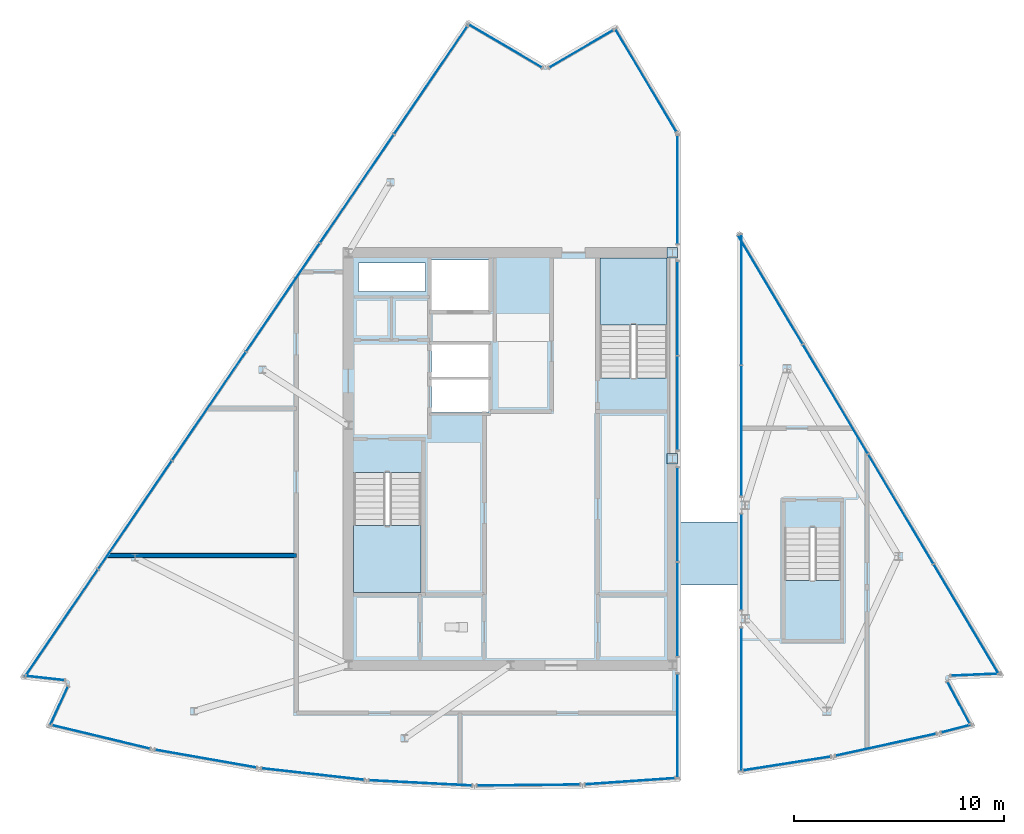
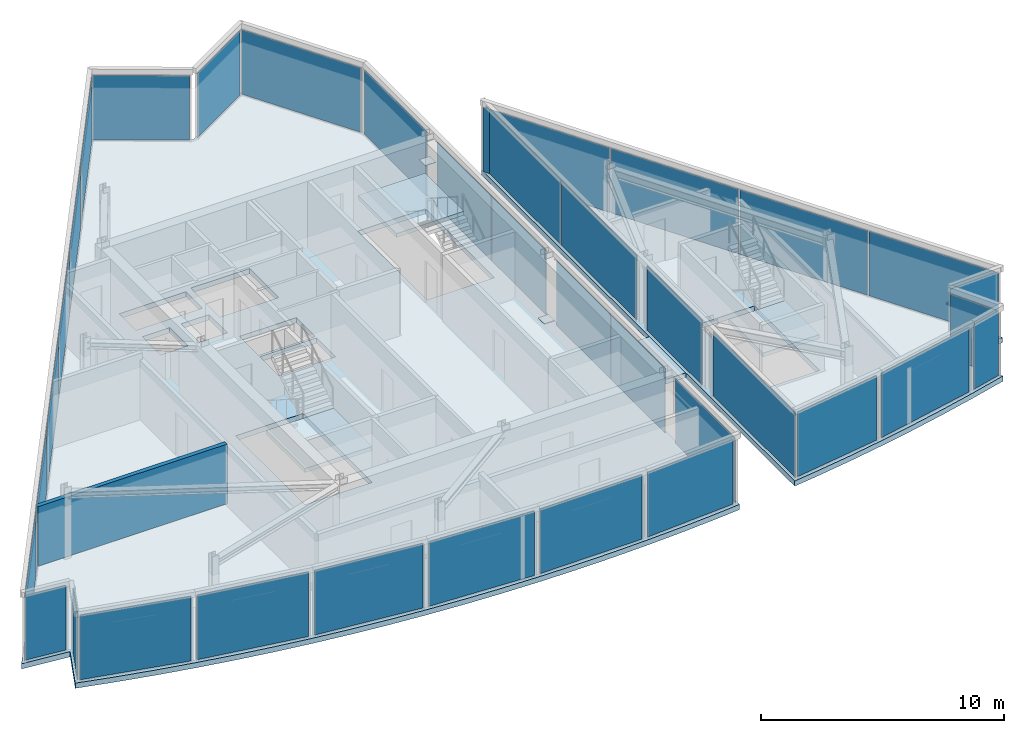
# One storey, part 8 of 15: 38 plates, 6 slabs, 1 wall, 28 elements without a shape of their own.
"""IFC4 building model written with IfcOpenShell, lengths in metres."""

from ifc_helpers import new_model, si_unit, direction, frame, frame_2d, origin, origin_2d, place, context, subcontext, project, spatial, polyline, rectangle, outline, extrude, material, layer, layer_set, type_object, element, aggregate, save


model = new_model("IFC4")

# Units and contexts
model_context = context("Model", 3, precision=1e-05, world=origin(), true_north=direction((0.0, 1.0)))
body_context = subcontext(model_context, "Body", "Model", "MODEL_VIEW")
ifc_project = project(units=[si_unit("LENGTHUNIT", "METRE"), si_unit("AREAUNIT", "SQUARE_METRE"), si_unit("VOLUMEUNIT", "CUBIC_METRE"), si_unit("PLANEANGLEUNIT", "RADIAN"), si_unit("MASSUNIT", "GRAM", prefix="KILO")], contexts=[model_context])

# Site, building, storey
site_placement = place(None, origin())
site = spatial("IfcSite", under=ifc_project, at=site_placement, CompositionType="ELEMENT")
building_placement = place(site_placement, origin())
building = spatial("IfcBuilding", under=site, at=building_placement, Name="Savorim Split Tower", CompositionType="ELEMENT")
storey_placement = place(building_placement, frame((0.0, 0.0, 301.199951171875)))
storey = spatial("IfcBuildingStorey", under=building, at=storey_placement, Name="Crown L80 Plant", CompositionType="ELEMENT", Elevation=301.199951171875)

# Curtain wall, plate
ifc_material_1 = material(Name="Dark Ceramic-Fritted Insulated Glass", Category="glass")
curtain_wall_type = type_object("IfcCurtainWallType", Name="CW-CROWN-CREST", PredefinedType="NOTDEFINED", material=ifc_material_1)
curtain_wall_1_placement = place(storey_placement, origin())
curtain_wall_1 = element("IfcCurtainWall", 1, at=curtain_wall_1_placement, inside=storey, type_object=curtain_wall_type, Name="Crown L80 Plant Curtain Wall CW-Crown-L80-Plant-W1AS1", PredefinedType="NOTDEFINED")
ifc_layer_1 = layer(ifc_material_1, 0.02587890625)
ifc_layer_set_1 = layer_set([ifc_layer_1], Name="CWP-FRITB-26")
plate_type_1 = type_object("IfcPlateType", Name="CWP-FRITB-26", PredefinedType="CURTAIN_PANEL", material=ifc_layer_set_1)
plate_1_placement = place(storey_placement, frame((7.929931640625, -12.28271484375, 0.05029296875), z_axis=(0.0, 0.0, 1.0), x_axis=(0.0, 1.0, 0.0)))
plate_1 = element("IfcPlate", 2, at=plate_1_placement, type_object=plate_type_1, Name="CW-07 panel 1.1", PredefinedType="CURTAIN_PANEL", context=body_context, shape_type="SweptSolid", body=[
    extrude(rectangle(XDim=4.913330078125, YDim=0.02587890625, at=origin_2d()), origin(), (0.0, 0.0, 1.0), 3.239990234375),
])
aggregate(curtain_wall_1, [plate_1])

# Curtain wall, plates
curtain_wall_2_placement = place(storey_placement, origin())
curtain_wall_2 = element("IfcCurtainWall", 3, at=curtain_wall_2_placement, inside=storey, type_object=curtain_wall_type, Name="Crown L80 Plant Curtain Wall CW-Crown-L80-Plant-W1AS2", PredefinedType="NOTDEFINED")
plate_2_placement = place(storey_placement, frame((7.929931640625, -6.751953125, 0.05029296875), z_axis=(0.0, 0.0, 1.0), x_axis=(0.0, 1.0, 0.0)))
plate_2 = element("IfcPlate", 4, at=plate_2_placement, type_object=plate_type_1, Name="CW-07 panel 1.1", PredefinedType="CURTAIN_PANEL", context=body_context, shape_type="SweptSolid", body=[
    extrude(rectangle(XDim=4.444091796875, YDim=0.02587890625, at=origin_2d()), origin(), (0.0, 0.0, 1.0), 3.239990234375),
])
plate_3_placement = place(storey_placement, frame((7.929931640625, -2.248046875, 0.05029296875), z_axis=(0.0, 0.0, 1.0), x_axis=(0.0, 1.0, 0.0)))
plate_3 = element("IfcPlate", 5, at=plate_3_placement, type_object=plate_type_1, Name="CW-07 panel 2.1", PredefinedType="CURTAIN_PANEL", context=body_context, shape_type="SweptSolid", body=[
    extrude(rectangle(XDim=4.444091796875, YDim=0.02587890625, at=origin_2d()), origin(), (0.0, 0.0, 1.0), 3.239990234375),
])
aggregate(curtain_wall_2, [plate_2, plate_3])

curtain_wall_3_placement = place(storey_placement, origin())
curtain_wall_3 = element("IfcCurtainWall", 6, at=curtain_wall_3_placement, inside=storey, type_object=curtain_wall_type, Name="Crown L80 Plant Curtain Wall CW-Crown-L80-Plant-W1AS3", PredefinedType="NOTDEFINED")
plate_4_placement = place(storey_placement, frame((7.929931640625, 3.048095703125, 0.05029296875), z_axis=(0.0, 0.0, 1.0), x_axis=(0.0, 1.0, 0.0)))
plate_4 = element("IfcPlate", 7, at=plate_4_placement, type_object=plate_type_1, Name="CW-07 panel 1.1", PredefinedType="CURTAIN_PANEL", context=body_context, shape_type="SweptSolid", body=[
    extrude(rectangle(XDim=4.444091796875, YDim=0.02587890625, at=origin_2d()), origin(), (0.0, 0.0, 1.0), 3.239990234375),
])
plate_5_placement = place(storey_placement, frame((7.929931640625, 7.552001953125, 0.05029296875), z_axis=(0.0, 0.0, 1.0), x_axis=(0.0, 1.0, 0.0)))
plate_5 = element("IfcPlate", 8, at=plate_5_placement, type_object=plate_type_1, Name="CW-07 panel 2.1", PredefinedType="CURTAIN_PANEL", context=body_context, shape_type="SweptSolid", body=[
    extrude(rectangle(XDim=4.444091796875, YDim=0.02587890625, at=origin_2d()), origin(), (0.0, 0.0, 1.0), 3.239990234375),
])
aggregate(curtain_wall_3, [plate_4, plate_5])

# Curtain wall, plate
curtain_wall_4_placement = place(storey_placement, origin())
curtain_wall_4 = element("IfcCurtainWall", 9, at=curtain_wall_4_placement, inside=storey, type_object=curtain_wall_type, Name="Crown L80 Plant Curtain Wall CW-Crown-L80-Plant-W1AS4", PredefinedType="NOTDEFINED")
plate_6_placement = place(storey_placement, frame((7.929931640625, 13.193603515625, 0.05029296875), z_axis=(0.0, 0.0, 1.0), x_axis=(0.0, 1.0, 0.0)))
plate_6 = element("IfcPlate", 10, at=plate_6_placement, type_object=plate_type_1, Name="CW-07 panel 1.1", PredefinedType="CURTAIN_PANEL", context=body_context, shape_type="SweptSolid", body=[
    extrude(rectangle(XDim=5.135498046875, YDim=0.02587890625, at=origin_2d()), origin(), (0.0, 0.0, 1.0), 3.239990234375),
])
aggregate(curtain_wall_4, [plate_6])

curtain_wall_5_placement = place(storey_placement, origin())
curtain_wall_5 = element("IfcCurtainWall", 11, at=curtain_wall_5_placement, inside=storey, type_object=curtain_wall_type, Name="Crown L80 Plant Curtain Wall CW-Crown-L80-Plant-W2A", PredefinedType="NOTDEFINED")
plate_7_placement = place(storey_placement, frame((6.43359375, 18.384765625, 0.05029296875), z_axis=(0.0, 0.0, 1.0), x_axis=(-0.511104505725, 0.859518577011, 0.0)))
plate_7 = element("IfcPlate", 12, at=plate_7_placement, type_object=plate_type_1, Name="CW-07 panel 1.1", PredefinedType="CURTAIN_PANEL", context=body_context, shape_type="SweptSolid", body=[
    extrude(rectangle(XDim=5.641357421875, YDim=0.02587890625, at=origin_2d()), origin(), (0.0, 0.0, 1.0), 3.239990234375),
])
aggregate(curtain_wall_5, [plate_7])

curtain_wall_6_placement = place(storey_placement, origin())
curtain_wall_6 = element("IfcCurtainWall", 13, at=curtain_wall_6_placement, inside=storey, type_object=curtain_wall_type, Name="Crown L80 Plant Curtain Wall CW-Crown-L80-Plant-W3A", PredefinedType="NOTDEFINED")
plate_8_placement = place(storey_placement, frame((3.361083984375, 19.8828125, 0.05029296875), z_axis=(0.0, 0.0, 1.0), x_axis=(-0.863987308153, -0.503513586063, 0.0)))
plate_8 = element("IfcPlate", 14, at=plate_8_placement, type_object=plate_type_1, Name="CW-07 panel 1.1", PredefinedType="CURTAIN_PANEL", context=body_context, shape_type="SweptSolid", body=[
    extrude(rectangle(XDim=3.49853515625, YDim=0.02587890625, at=origin_2d()), origin(), (0.0, 0.0, 1.0), 3.239990234375),
])
aggregate(curtain_wall_6, [plate_8])

curtain_wall_7_placement = place(storey_placement, origin())
curtain_wall_7 = element("IfcCurtainWall", 15, at=curtain_wall_7_placement, inside=storey, type_object=curtain_wall_type, Name="Crown L80 Plant Curtain Wall CW-Crown-L80-Plant-W4A", PredefinedType="NOTDEFINED")
plate_9_placement = place(storey_placement, frame((-0.23876953125, 20.01708984375, 0.05029296875), z_axis=(0.0, 0.0, 1.0), x_axis=(-0.862118709927, 0.506706354799, 0.0)))
plate_9 = element("IfcPlate", 16, at=plate_9_placement, type_object=plate_type_1, Name="CW-07 panel 1.1", PredefinedType="CURTAIN_PANEL", context=body_context, shape_type="SweptSolid", body=[
    extrude(rectangle(XDim=4.003173828125, YDim=0.02587890625, at=origin_2d()), origin(), (0.0, 0.0, 1.0), 3.239990234375),
])
aggregate(curtain_wall_7, [plate_9])

# Curtain wall, plates
curtain_wall_8_placement = place(storey_placement, origin())
curtain_wall_8 = element("IfcCurtainWall", 17, at=curtain_wall_8_placement, inside=storey, type_object=curtain_wall_type, Name="Crown L80 Plant Curtain Wall CW-Crown-L80-Plant-W5A", PredefinedType="NOTDEFINED")
plate_10_placement = place(storey_placement, frame((-3.794921875, 18.3896484375, 0.05029296875), z_axis=(0.0, 0.0, 1.0), x_axis=(-0.562464826014, -0.826821213744, 0.0)))
plate_10 = element("IfcPlate", 18, at=plate_10_placement, type_object=plate_type_1, Name="CW-07 panel 1.1", PredefinedType="CURTAIN_PANEL", context=body_context, shape_type="SweptSolid", body=[
    extrude(rectangle(XDim=6.158447265625, YDim=0.02587890625, at=origin_2d()), origin(), (0.0, 0.0, 1.0), 3.239990234375),
])
plate_11_placement = place(storey_placement, frame((-7.301025390625, 13.235595703125, 0.05029296875), z_axis=(0.0, 0.0, 1.0), x_axis=(-0.562464826014, -0.826821213744, 0.0)))
plate_11 = element("IfcPlate", 19, at=plate_11_placement, type_object=plate_type_1, Name="CW-07 panel 2.1", PredefinedType="CURTAIN_PANEL", context=body_context, shape_type="SweptSolid", body=[
    extrude(rectangle(XDim=6.1884765625, YDim=0.02587890625, at=origin_2d()), origin(), (0.0, 0.0, 1.0), 3.239990234375),
])
plate_12_placement = place(storey_placement, frame((-10.8154296875, 8.069091796875, 0.05029296875), z_axis=(0.0, 0.0, 1.0), x_axis=(-0.562464826014, -0.826821213744, 0.0)))
plate_12 = element("IfcPlate", 20, at=plate_12_placement, type_object=plate_type_1, Name="CW-07 panel 3.1", PredefinedType="CURTAIN_PANEL", context=body_context, shape_type="SweptSolid", body=[
    extrude(rectangle(XDim=6.1884765625, YDim=0.02587890625, at=origin_2d()), origin(), (0.0, 0.0, 1.0), 3.239990234375),
])
plate_13_placement = place(storey_placement, frame((-14.330078125, 2.90283203125, 0.05029296875), z_axis=(0.0, 0.0, 1.0), x_axis=(-0.562464826014, -0.826821213744, 0.0)))
plate_13 = element("IfcPlate", 21, at=plate_13_placement, type_object=plate_type_1, Name="CW-07 panel 4.1", PredefinedType="CURTAIN_PANEL", context=body_context, shape_type="SweptSolid", body=[
    extrude(rectangle(XDim=6.1884765625, YDim=0.02587890625, at=origin_2d()), origin(), (0.0, 0.0, 1.0), 3.239990234375),
])
plate_14_placement = place(storey_placement, frame((-17.8447265625, -2.263671875, 0.05029296875), z_axis=(0.0, 0.0, 1.0), x_axis=(-0.562464826014, -0.826821213744, 0.0)))
plate_14 = element("IfcPlate", 22, at=plate_14_placement, type_object=plate_type_1, Name="CW-07 panel 5.1", PredefinedType="CURTAIN_PANEL", context=body_context, shape_type="SweptSolid", body=[
    extrude(rectangle(XDim=6.1884765625, YDim=0.02587890625, at=origin_2d()), origin(), (0.0, 0.0, 1.0), 3.239990234375),
])
plate_15_placement = place(storey_placement, frame((-21.350830078125, -7.41748046875, 0.05029296875), z_axis=(0.0, 0.0, 1.0), x_axis=(-0.562464826014, -0.826821213744, 0.0)))
plate_15 = element("IfcPlate", 23, at=plate_15_placement, type_object=plate_type_1, Name="CW-07 panel 6.1", PredefinedType="CURTAIN_PANEL", context=body_context, shape_type="SweptSolid", body=[
    extrude(rectangle(XDim=6.158447265625, YDim=0.02587890625, at=origin_2d()), origin(), (0.0, 0.0, 1.0), 3.239990234375),
])
aggregate(curtain_wall_8, [plate_10, plate_11, plate_12, plate_13, plate_14, plate_15])

# Curtain wall, plate
curtain_wall_9_placement = place(storey_placement, origin())
curtain_wall_9 = element("IfcCurtainWall", 24, at=curtain_wall_9_placement, inside=storey, type_object=curtain_wall_type, Name="Crown L80 Plant Curtain Wall CW-Crown-L80-Plant-W6A", PredefinedType="NOTDEFINED")
plate_16_placement = place(storey_placement, frame((-22.109130859375, -10.01953125, 0.05029296875), z_axis=(0.0, 0.0, 1.0), x_axis=(0.993825177662, -0.110957272158, 0.0)))
plate_16 = element("IfcPlate", 25, at=plate_16_placement, type_object=plate_type_1, Name="CW-07 panel 1.1", PredefinedType="CURTAIN_PANEL", context=body_context, shape_type="SweptSolid", body=[
    extrude(rectangle(XDim=1.800537109375, YDim=0.02587890625, at=origin_2d()), origin(), (0.0, 0.0, 1.0), 3.239990234375),
])
aggregate(curtain_wall_9, [plate_16])

curtain_wall_10_placement = place(storey_placement, origin())
curtain_wall_10 = element("IfcCurtainWall", 26, at=curtain_wall_10_placement, inside=storey, type_object=curtain_wall_type, Name="Crown L80 Plant Curtain Wall CW-Crown-L80-Plant-W7A", PredefinedType="NOTDEFINED")
plate_17_placement = place(storey_placement, frame((-21.45458984375, -11.338134765625, 0.05029296875), z_axis=(0.0, 0.0, 1.0), x_axis=(-0.417486455033, -0.908683146022, 0.0)))
plate_17 = element("IfcPlate", 27, at=plate_17_placement, type_object=plate_type_1, Name="CW-07 panel 1.1", PredefinedType="CURTAIN_PANEL", context=body_context, shape_type="SweptSolid", body=[
    extrude(rectangle(XDim=1.9951171875, YDim=0.02587890625, at=origin_2d()), origin(), (0.0, 0.0, 1.0), 3.239990234375),
])
aggregate(curtain_wall_10, [plate_17])

curtain_wall_11_placement = place(storey_placement, origin())
curtain_wall_11 = element("IfcCurtainWall", 28, at=curtain_wall_11_placement, inside=storey, type_object=curtain_wall_type, Name="Crown L80 Plant Curtain Wall CW-Crown-L80-Plant-W8A", PredefinedType="NOTDEFINED")
plate_18_placement = place(storey_placement, frame((-19.45751953125, -12.817138671875, 0.05029296875), z_axis=(0.0, 0.0, 1.0), x_axis=(0.972439169637, -0.233156731313, 0.0)))
plate_18 = element("IfcPlate", 29, at=plate_18_placement, type_object=plate_type_1, Name="CW-07 panel 1.1", PredefinedType="CURTAIN_PANEL", context=body_context, shape_type="SweptSolid", body=[
    extrude(rectangle(XDim=4.760498046875, YDim=0.02587890625, at=origin_2d()), origin(), (0.0, 0.0, 1.0), 3.239990234375),
])
aggregate(curtain_wall_11, [plate_18])

curtain_wall_12_placement = place(storey_placement, origin())
curtain_wall_12 = element("IfcCurtainWall", 30, at=curtain_wall_12_placement, inside=storey, type_object=curtain_wall_type, Name="Crown L80 Plant Curtain Wall CW-Crown-L80-Plant-W9A", PredefinedType="NOTDEFINED")
plate_19_placement = place(storey_placement, frame((-14.47998046875, -13.848388671875, 0.05029296875), z_axis=(0.0, 0.0, 1.0), x_axis=(0.984911112128, -0.173060975402, 0.0)))
plate_19 = element("IfcPlate", 31, at=plate_19_placement, type_object=plate_type_1, Name="CW-07 panel 1.1", PredefinedType="CURTAIN_PANEL", context=body_context, shape_type="SweptSolid", body=[
    extrude(rectangle(XDim=4.865478515625, YDim=0.02587890625, at=origin_2d()), origin(), (0.0, 0.0, 1.0), 3.239990234375),
])
aggregate(curtain_wall_12, [plate_19])

curtain_wall_13_placement = place(storey_placement, origin())
curtain_wall_13 = element("IfcCurtainWall", 32, at=curtain_wall_13_placement, inside=storey, type_object=curtain_wall_type, Name="Crown L80 Plant Curtain Wall CW-Crown-L80-Plant-W10A", PredefinedType="NOTDEFINED")
plate_20_placement = place(storey_placement, frame((-9.39697265625, -14.58154296875, 0.05029296875), z_axis=(0.0, 0.0, 1.0), x_axis=(0.9936713143, -0.112326840679, 0.0)))
plate_20 = element("IfcPlate", 33, at=plate_20_placement, type_object=plate_type_1, Name="CW-07 panel 1.1", PredefinedType="CURTAIN_PANEL", context=body_context, shape_type="SweptSolid", body=[
    extrude(rectangle(XDim=4.865478515625, YDim=0.02587890625, at=origin_2d()), origin(), (0.0, 0.0, 1.0), 3.239990234375),
])
aggregate(curtain_wall_13, [plate_20])

curtain_wall_14_placement = place(storey_placement, origin())
curtain_wall_14 = element("IfcCurtainWall", 34, at=curtain_wall_14_placement, inside=storey, type_object=curtain_wall_type, Name="Crown L80 Plant Curtain Wall CW-Crown-L80-Plant-W11A", PredefinedType="NOTDEFINED")
plate_21_placement = place(storey_placement, frame((-4.278564453125, -15.00146484375, 0.05029296875), z_axis=(0.0, 0.0, 1.0), x_axis=(0.99869102851, -0.051149091619, 0.0)))
plate_21 = element("IfcPlate", 35, at=plate_21_placement, type_object=plate_type_1, Name="CW-07 panel 1.1", PredefinedType="CURTAIN_PANEL", context=body_context, shape_type="SweptSolid", body=[
    extrude(rectangle(XDim=4.865478515625, YDim=0.02587890625, at=origin_2d()), origin(), (0.0, 0.0, 1.0), 3.239990234375),
])
aggregate(curtain_wall_14, [plate_21])

curtain_wall_15_placement = place(storey_placement, origin())
curtain_wall_15 = element("IfcCurtainWall", 36, at=curtain_wall_15_placement, inside=storey, type_object=curtain_wall_type, Name="Crown L80 Plant Curtain Wall CW-Crown-L80-Plant-W12A", PredefinedType="NOTDEFINED")
plate_22_placement = place(storey_placement, frame((0.856201171875, -15.1064453125, 0.05029296875), z_axis=(0.0, 0.0, 1.0), x_axis=(0.999947674776, 0.010229746323, 0.0)))
plate_22 = element("IfcPlate", 37, at=plate_22_placement, type_object=plate_type_1, Name="CW-07 panel 1.1", PredefinedType="CURTAIN_PANEL", context=body_context, shape_type="SweptSolid", body=[
    extrude(rectangle(XDim=4.865478515625, YDim=0.02587890625, at=origin_2d()), origin(), (0.0, 0.0, 1.0), 3.239990234375),
])
aggregate(curtain_wall_15, [plate_22])

curtain_wall_16_placement = place(storey_placement, origin())
curtain_wall_16 = element("IfcCurtainWall", 38, at=curtain_wall_16_placement, inside=storey, type_object=curtain_wall_type, Name="Crown L80 Plant Curtain Wall CW-Crown-L80-Plant-W13A", PredefinedType="NOTDEFINED")
plate_23_placement = place(storey_placement, frame((5.67919921875, -14.923583984375, 0.05029296875), z_axis=(0.0, 0.0, 1.0), x_axis=(0.997597201125, 0.069280764346, 0.0)))
plate_23 = element("IfcPlate", 39, at=plate_23_placement, type_object=plate_type_1, Name="CW-07 panel 1.1", PredefinedType="CURTAIN_PANEL", context=body_context, shape_type="SweptSolid", body=[
    extrude(rectangle(XDim=4.246337890625, YDim=0.02587890625, at=origin_2d()), origin(), (0.0, 0.0, 1.0), 3.239990234375),
])
aggregate(curtain_wall_16, [plate_23])

# Curtain wall, plates
curtain_wall_17_placement = place(storey_placement, origin())
curtain_wall_17 = element("IfcCurtainWall", 40, at=curtain_wall_17_placement, inside=storey, type_object=curtain_wall_type, Name="Crown L80 Plant Curtain Wall CW-Crown-L80-Plant-E1AS1", PredefinedType="NOTDEFINED")
plate_24_placement = place(storey_placement, frame((10.969970703125, 7.96435546875, 0.05029296875), z_axis=(0.0, 0.0, 1.0), x_axis=(0.0, -1.0, 0.0)))
plate_24 = element("IfcPlate", 41, at=plate_24_placement, type_object=plate_type_1, Name="CW-07 panel 1.1", PredefinedType="CURTAIN_PANEL", context=body_context, shape_type="SweptSolid", body=[
    extrude(rectangle(XDim=6.17626953125, YDim=0.02587890625, at=origin_2d()), origin(), (0.0, 0.0, 1.0), 3.239990234375),
])
plate_25_placement = place(storey_placement, frame((10.969970703125, 1.72802734375, 0.05029296875), z_axis=(0.0, 0.0, 1.0), x_axis=(0.0, -1.0, 0.0)))
plate_25 = element("IfcPlate", 42, at=plate_25_placement, type_object=plate_type_1, Name="CW-07 panel 2.1", PredefinedType="CURTAIN_PANEL", context=body_context, shape_type="SweptSolid", body=[
    extrude(rectangle(XDim=6.17626953125, YDim=0.02587890625, at=origin_2d()), origin(), (0.0, 0.0, 1.0), 3.239990234375),
])
aggregate(curtain_wall_17, [plate_24, plate_25])

# Curtain wall, plate
curtain_wall_18_placement = place(storey_placement, origin())
curtain_wall_18 = element("IfcCurtainWall", 43, at=curtain_wall_18_placement, inside=storey, type_object=curtain_wall_type, Name="Crown L80 Plant Curtain Wall CW-Crown-L80-Plant-E1AS2", PredefinedType="NOTDEFINED")
plate_26_placement = place(storey_placement, frame((10.969970703125, -4.5, 0.05029296875), z_axis=(0.0, 0.0, 1.0), x_axis=(0.0, -1.0, 0.0)))
plate_26 = element("IfcPlate", 44, at=plate_26_placement, type_object=plate_type_1, Name="CW-07 panel 1.1", PredefinedType="CURTAIN_PANEL", context=body_context, shape_type="SweptSolid", body=[
    extrude(rectangle(XDim=4.52001953125, YDim=0.02587890625, at=origin_2d()), origin(), (0.0, 0.0, 1.0), 3.239990234375),
])
aggregate(curtain_wall_18, [plate_26])

curtain_wall_19_placement = place(storey_placement, origin())
curtain_wall_19 = element("IfcCurtainWall", 45, at=curtain_wall_19_placement, inside=storey, type_object=curtain_wall_type, Name="Crown L80 Plant Curtain Wall CW-Crown-L80-Plant-E1AS3", PredefinedType="NOTDEFINED")
plate_27_placement = place(storey_placement, frame((10.969970703125, -11.030517578125, 0.05029296875), z_axis=(0.0, 0.0, 1.0), x_axis=(0.0, -1.0, 0.0)))
plate_27 = element("IfcPlate", 46, at=plate_27_placement, type_object=plate_type_1, Name="CW-07 panel 1.1", PredefinedType="CURTAIN_PANEL", context=body_context, shape_type="SweptSolid", body=[
    extrude(rectangle(XDim=6.78125, YDim=0.02587890625, at=origin_2d()), origin(), (0.0, 0.0, 1.0), 3.239990234375),
])
aggregate(curtain_wall_19, [plate_27])

curtain_wall_20_placement = place(storey_placement, origin())
curtain_wall_20 = element("IfcCurtainWall", 47, at=curtain_wall_20_placement, inside=storey, type_object=curtain_wall_type, Name="Crown L80 Plant Curtain Wall CW-Crown-L80-Plant-E2A", PredefinedType="NOTDEFINED")
plate_28_placement = place(storey_placement, frame((13.134033203125, -14.080322265625, 0.05029296875), z_axis=(0.0, 0.0, 1.0), x_axis=(0.987840295861, 0.155472022798, 0.0)))
plate_28 = element("IfcPlate", 48, at=plate_28_placement, type_object=plate_type_1, Name="CW-07 panel 1.1", PredefinedType="CURTAIN_PANEL", context=body_context, shape_type="SweptSolid", body=[
    extrude(rectangle(XDim=4.172119140625, YDim=0.02587890625, at=origin_2d()), origin(), (0.0, 0.0, 1.0), 3.239990234375),
])
aggregate(curtain_wall_20, [plate_28])

curtain_wall_21_placement = place(storey_placement, origin())
curtain_wall_21 = element("IfcCurtainWall", 49, at=curtain_wall_21_placement, inside=storey, type_object=curtain_wall_type, Name="Crown L80 Plant Curtain Wall CW-Crown-L80-Plant-E3A", PredefinedType="NOTDEFINED")
plate_29_placement = place(storey_placement, frame((17.839599609375, -13.18701171875, 0.05029296875), z_axis=(0.0, 0.0, 1.0), x_axis=(0.977004062903, 0.213220686311, 0.0)))
plate_29 = element("IfcPlate", 50, at=plate_29_placement, type_object=plate_type_1, Name="CW-07 panel 1.1", PredefinedType="CURTAIN_PANEL", context=body_context, shape_type="SweptSolid", body=[
    extrude(rectangle(XDim=4.865478515625, YDim=0.02587890625, at=origin_2d()), origin(), (0.0, 0.0, 1.0), 3.239990234375),
])
aggregate(curtain_wall_21, [plate_29])

curtain_wall_22_placement = place(storey_placement, origin())
curtain_wall_22 = element("IfcCurtainWall", 51, at=curtain_wall_22_placement, inside=storey, type_object=curtain_wall_type, Name="Crown L80 Plant Curtain Wall CW-Crown-L80-Plant-E4A", PredefinedType="NOTDEFINED")
plate_30_placement = place(storey_placement, frame((21.17822265625, -12.422607421875, 0.05029296875), z_axis=(0.0, 0.0, 1.0), x_axis=(0.967453211442, 0.253049962794, 0.0)))
plate_30 = element("IfcPlate", 52, at=plate_30_placement, type_object=plate_type_1, Name="CW-07 panel 1.1", PredefinedType="CURTAIN_PANEL", context=body_context, shape_type="SweptSolid", body=[
    extrude(rectangle(XDim=1.435302734375, YDim=0.02587890625, at=origin_2d()), origin(), (0.0, 0.0, 1.0), 3.239990234375),
])
aggregate(curtain_wall_22, [plate_30])

curtain_wall_23_placement = place(storey_placement, origin())
curtain_wall_23 = element("IfcCurtainWall", 53, at=curtain_wall_23_placement, inside=storey, type_object=curtain_wall_type, Name="Crown L80 Plant Curtain Wall CW-Crown-L80-Plant-E5A", PredefinedType="NOTDEFINED")
plate_31_placement = place(storey_placement, frame((21.293212890625, -11.186767578125, 0.05029296875), z_axis=(0.0, 0.0, 1.0), x_axis=(-0.472812026966, 0.881163314691, 0.0)))
plate_31 = element("IfcPlate", 54, at=plate_31_placement, type_object=plate_type_1, Name="CW-07 panel 1.1", PredefinedType="CURTAIN_PANEL", context=body_context, shape_type="SweptSolid", body=[
    extrude(rectangle(XDim=2.21484375, YDim=0.02587890625, at=origin_2d()), origin(), (0.0, 0.0, 1.0), 3.239990234375),
])
aggregate(curtain_wall_23, [plate_31])

curtain_wall_24_placement = place(storey_placement, origin())
curtain_wall_24 = element("IfcCurtainWall", 55, at=curtain_wall_24_placement, inside=storey, type_object=curtain_wall_type, Name="Crown L80 Plant Curtain Wall CW-Crown-L80-Plant-E6A", PredefinedType="NOTDEFINED")
plate_32_placement = place(storey_placement, frame((22.1015625, -9.855712890625, 0.05029296875), z_axis=(0.0, 0.0, 1.0), x_axis=(0.99909628557, 0.042504260501, 0.0)))
plate_32 = element("IfcPlate", 56, at=plate_32_placement, type_object=plate_type_1, Name="CW-07 panel 1.1", PredefinedType="CURTAIN_PANEL", context=body_context, shape_type="SweptSolid", body=[
    extrude(rectangle(XDim=2.3173828125, YDim=0.02587890625, at=origin_2d()), origin(), (0.0, 0.0, 1.0), 3.239990234375),
])
aggregate(curtain_wall_24, [plate_32])

# Curtain wall, plates
curtain_wall_25_placement = place(storey_placement, origin())
curtain_wall_25 = element("IfcCurtainWall", 57, at=curtain_wall_25_placement, inside=storey, type_object=curtain_wall_type, Name="Crown L80 Plant Curtain Wall CW-Crown-L80-Plant-E7A", PredefinedType="NOTDEFINED")
plate_33_placement = place(storey_placement, frame((21.646484375, -7.19921875, 0.05029296875), z_axis=(0.0, 0.0, 1.0), x_axis=(-0.51109462206, 0.859524454162, 0.0)))
plate_33 = element("IfcPlate", 58, at=plate_33_placement, type_object=plate_type_1, Name="CW-07 panel 1.1", PredefinedType="CURTAIN_PANEL", context=body_context, shape_type="SweptSolid", body=[
    extrude(rectangle(XDim=5.984619140625, YDim=0.02587890625, at=origin_2d()), origin(), (0.0, 0.0, 1.0), 3.239990234375),
])
plate_34_placement = place(storey_placement, frame((18.549560546875, -1.99072265625, 0.05029296875), z_axis=(0.0, 0.0, 1.0), x_axis=(-0.51109462206, 0.859524454162, 0.0)))
plate_34 = element("IfcPlate", 59, at=plate_34_placement, type_object=plate_type_1, Name="CW-07 panel 2.1", PredefinedType="CURTAIN_PANEL", context=body_context, shape_type="SweptSolid", body=[
    extrude(rectangle(XDim=6.0146484375, YDim=0.02587890625, at=origin_2d()), origin(), (0.0, 0.0, 1.0), 3.239990234375),
])
plate_35_placement = place(storey_placement, frame((15.44482421875, 3.23046875, 0.05029296875), z_axis=(0.0, 0.0, 1.0), x_axis=(-0.51109462206, 0.859524454162, 0.0)))
plate_35 = element("IfcPlate", 60, at=plate_35_placement, type_object=plate_type_1, Name="CW-07 panel 3.1", PredefinedType="CURTAIN_PANEL", context=body_context, shape_type="SweptSolid", body=[
    extrude(rectangle(XDim=6.0146484375, YDim=0.02587890625, at=origin_2d()), origin(), (0.0, 0.0, 1.0), 3.239990234375),
])
plate_36_placement = place(storey_placement, frame((12.34765625, 8.43896484375, 0.05029296875), z_axis=(0.0, 0.0, 1.0), x_axis=(-0.51109462206, 0.859524454162, 0.0)))
plate_36 = element("IfcPlate", 61, at=plate_36_placement, type_object=plate_type_1, Name="CW-07 panel 4.1", PredefinedType="CURTAIN_PANEL", context=body_context, shape_type="SweptSolid", body=[
    extrude(rectangle(XDim=5.984619140625, YDim=0.02587890625, at=origin_2d()), origin(), (0.0, 0.0, 1.0), 3.239990234375),
])
aggregate(curtain_wall_25, [plate_33, plate_34, plate_35, plate_36])

# Plates
ifc_material_2 = material(Name="Steel S460", Category="steel")
ifc_layer_2 = layer(ifc_material_2, 0.02490234375)
ifc_layer_set_2 = layer_set([ifc_layer_2], Name="PLT-NODE-CN1")
plate_type_2 = type_object("IfcPlateType", Name="PLT-NODE-CN1", PredefinedType="SHEET", material=ifc_layer_set_2)
for number, where, z_axis, x_axis, name in (
    (62, (7.699951171875, 0.39990234375, 0.1376953125), (0.0, 0.0, 1.0), (1.0, 0.0, 0.0), "Crown L80 Plant Crown Spine Base Gusset Plate CN1"),
    (63, (7.699951171875, 10.199951171875, 2.1376953125), (0.0, 0.0, 1.0), (1.0, 0.0, 0.0), "Crown L80 Plant Crown Spine Top Gusset Plate CN2"),
):
    element("IfcPlate", number, at=place(storey_placement, frame(where, z_axis=z_axis, x_axis=x_axis)), inside=storey, type_object=plate_type_2, Name=name, PredefinedType="SHEET", context=body_context, shape_type="SweptSolid", body=[
        extrude(rectangle(XDim=0.5, YDim=0.5, at=origin_2d()), origin(), (0.0, 0.0, 1.0), 0.02490234375),
    ])

# Slabs
ifc_material_3 = material(Name="Concrete C50/60", Category="concrete")
ifc_layer_3 = layer(ifc_material_3, 0.260009765625)
ifc_layer_set_3 = layer_set([ifc_layer_3], Name="SLB-CRN-260")
slab_type_1 = type_object("IfcSlabType", Name="SLB-CRN-260", PredefinedType="FLOOR", material=ifc_layer_set_3)
slab_1_placement = place(storey_placement, frame((0.0, 0.0, -0.260009765625)))
element("IfcSlab", 64, at=slab_1_placement, inside=storey, type_object=slab_type_1, Name="Crown L80 Plant West Split Crown Floor Slab", PredefinedType="FLOOR", context=body_context, shape_type="SweptSolid", body=[
    extrude(outline(polyline([(8.050048828125, -14.87939453125), (8.050048828125, 15.9013671875), (5.023681640625, 20.99072265625), (1.66845703125, 19.035400390625), (-2.024169921875, 21.20556640625), (-23.2607421875, -10.01171875), (-21.088623046875, -10.25439453125), (-22.038330078125, -12.321533203125), (-20.37890625, -12.755615234375), (-18.710693359375, -13.155517578125), (-17.034912109375, -13.521240234375), (-15.351806640625, -13.852783203125), (-13.662109375, -14.149658203125), (-11.966796875, -14.411865234375), (-10.2666015625, -14.639404296875), (-8.562255859375, -14.83203125), (-6.85400390625, -14.98974609375), (-5.14306640625, -15.112548828125), (-3.429931640625, -15.2001953125), (-1.71533203125, -15.252685546875), (0.0, -15.2705078125), (1.71533203125, -15.252685546875), (3.429931640625, -15.2001953125), (5.14306640625, -15.112548828125), (6.85400390625, -14.98974609375), (8.050048828125, -14.87939453125)]), holes=[polyline([(-7.449951171875, -0.25390625), (-7.449951171875, -5.949951171875), (-4.25, -5.949951171875), (-4.25, -0.25390625), (-7.449951171875, -0.25390625)]), polyline([(7.449951171875, 4.25390625), (7.449951171875, 9.949951171875), (4.25, 9.949951171875), (4.25, 4.25390625), (7.449951171875, 4.25390625)]), polyline([(-3.75, 2.60009765625), (-1.050048828125, 2.60009765625), (-1.050048828125, 4.159912109375), (-3.75, 4.159912109375), (-3.75, 2.60009765625)]), polyline([(-3.75, 4.280029296875), (-1.050048828125, 4.280029296875), (-1.050048828125, 5.840087890625), (-3.75, 5.840087890625), (-3.75, 4.280029296875)]), polyline([(-3.75, 7.449951171875), (-0.949951171875, 7.449951171875), (-0.949951171875, 9.85009765625), (-3.75, 9.85009765625), (-3.75, 7.449951171875)]), polyline([(-7.219970703125, 6.320068359375), (-5.919921875, 6.320068359375), (-5.919921875, 7.820068359375), (-7.219970703125, 7.820068359375), (-7.219970703125, 6.320068359375)]), polyline([(-5.3798828125, 6.320068359375), (-4.050048828125, 6.320068359375), (-4.050048828125, 7.820068359375), (-5.3798828125, 7.820068359375), (-5.3798828125, 6.320068359375)]), polyline([(-7.219970703125, 8.360107421875), (-4.050048828125, 8.360107421875), (-4.050048828125, 9.719970703125), (-7.219970703125, 9.719970703125), (-7.219970703125, 8.360107421875)])]), origin(), (0.0, 0.0, 1.0), 0.260009765625),
])
slab_2_placement = place(storey_placement, frame((0.0, 0.0, -0.260009765625)))
element("IfcSlab", 65, at=slab_2_placement, inside=storey, type_object=slab_type_1, Name="Crown L80 Plant East Split Crown Floor Slab", PredefinedType="FLOOR", context=body_context, shape_type="SweptSolid", body=[
    extrude(outline(polyline([(10.85009765625, 11.1923828125), (10.85009765625, -14.561279296875), (11.966796875, -14.411865234375), (13.662109375, -14.149658203125), (15.351806640625, -13.852783203125), (17.034912109375, -13.521240234375), (18.710693359375, -13.155517578125), (20.37890625, -12.755615234375), (22.038330078125, -12.321533203125), (20.80908203125, -10.03076171875), (23.404296875, -9.92041015625), (10.85009765625, 11.1923828125)]), holes=[polyline([(13.02001953125, -2.85400390625), (13.02001953125, -8.199951171875), (15.699951171875, -8.199951171875), (15.699951171875, -2.85400390625), (13.02001953125, -2.85400390625)])]), origin(), (0.0, 0.0, 1.0), 0.260009765625),
])

# Stair, slab
stair_type_1 = type_object("IfcStairType", Name="STR-DOG-3600", PredefinedType="HALF_TURN_STAIR", material=ifc_material_3)
stair_1_placement = place(storey_placement, origin())
stair_1 = element("IfcStair", 66, at=stair_1_placement, inside=storey, type_object=stair_type_1, Name="Crown L80 Plant Core Protected Exit Stair ST-1", PredefinedType="HALF_TURN_STAIR")
ifc_layer_4 = layer(ifc_material_3, 0.199951171875)
ifc_layer_set_4 = layer_set([ifc_layer_4], Name="SLB-LND-200")
slab_type_2 = type_object("IfcSlabType", Name="SLB-LND-200", PredefinedType="LANDING", material=ifc_layer_set_4)
slab_3_placement = place(storey_placement, frame((0.0, 0.0, 1.60009765625)))
slab_3 = element("IfcSlab", 67, at=slab_3_placement, type_object=slab_type_2, Name="ST-1 landing 1", PredefinedType="LANDING", context=body_context, shape_type="SweptSolid", body=[
    extrude(outline(polyline([(-7.449951171875, -2.77001953125), (-7.449951171875, -5.949951171875), (-4.25, -5.949951171875), (-4.25, -2.77001953125), (-7.449951171875, -2.77001953125)])), origin(), (0.0, 0.0, 1.0), 0.199951171875),
])
aggregate(stair_1, [slab_3])

stair_2_placement = place(storey_placement, origin())
stair_2 = element("IfcStair", 68, at=stair_2_placement, inside=storey, type_object=stair_type_1, Name="Crown L80 Plant Core Protected Exit Stair ST-2", PredefinedType="HALF_TURN_STAIR")
slab_4_placement = place(storey_placement, frame((0.0, 0.0, 1.60009765625)))
slab_4 = element("IfcSlab", 69, at=slab_4_placement, type_object=slab_type_2, Name="ST-2 landing 1", PredefinedType="LANDING", context=body_context, shape_type="SweptSolid", body=[
    extrude(outline(polyline([(7.449951171875, 6.77001953125), (7.449951171875, 9.949951171875), (4.25, 9.949951171875), (4.25, 6.77001953125), (7.449951171875, 6.77001953125)])), origin(), (0.0, 0.0, 1.0), 0.199951171875),
])
aggregate(stair_2, [slab_4])

stair_type_2 = type_object("IfcStairType", Name="STR-CRN-3600", PredefinedType="HALF_TURN_STAIR", material=ifc_material_3)
stair_3_placement = place(storey_placement, origin())
stair_3 = element("IfcStair", 70, at=stair_3_placement, inside=storey, type_object=stair_type_2, Name="Crown L80 Plant East Crown Peak Internal Plant Stair ST-CRN-E", PredefinedType="HALF_TURN_STAIR")
slab_5_placement = place(storey_placement, frame((0.0, 0.0, 1.60009765625)))
slab_5 = element("IfcSlab", 71, at=slab_5_placement, type_object=slab_type_2, Name="ST-CRN-E landing 1", PredefinedType="LANDING", context=body_context, shape_type="SweptSolid", body=[
    extrude(outline(polyline([(13.02001953125, -5.3701171875), (13.02001953125, -8.199951171875), (15.699951171875, -8.199951171875), (15.699951171875, -5.3701171875), (13.02001953125, -5.3701171875)])), origin(), (0.0, 0.0, 1.0), 0.199951171875),
])
aggregate(stair_3, [slab_5])

# Slab
ifc_layer_5 = layer(ifc_material_3, 0.239990234375)
ifc_layer_set_5 = layer_set([ifc_layer_5], Name="SLB-ROOF-240")
slab_type_3 = type_object("IfcSlabType", Name="SLB-ROOF-240", PredefinedType="ROOF", material=ifc_layer_set_5)
slab_6_placement = place(storey_placement, frame((0.0, 0.0, -0.239990234375)))
element("IfcSlab", 72, at=slab_6_placement, inside=storey, type_object=slab_type_3, Name="Crown L80 Split-Peak Link Corridor Roof Slab", PredefinedType="ROOF", context=body_context, shape_type="SweptSolid", body=[
    extrude(outline(polyline([(8.050048828125, -5.60009765625), (10.85009765625, -5.60009765625), (10.85009765625, -2.60009765625), (8.050048828125, -2.60009765625), (8.050048828125, -5.60009765625)])), origin(), (0.0, 0.0, 1.0), 0.239990234375),
])

# Wall
ifc_layer_6 = layer(ifc_material_3, 0.199951171875)
ifc_layer_set_6 = layer_set([ifc_layer_6], Name="WAL-INT-RC200")
wall_type = type_object("IfcWallType", Name="WAL-INT-RC200", PredefinedType="SOLIDWALL", material=ifc_layer_set_6)
wall_placement = place(storey_placement, frame((-19.18603515625, -4.199951171875, 0.0), z_axis=(0.0, 0.0, 1.0), x_axis=(1.0, 0.0, 0.0)))
element("IfcWall", 73, at=wall_placement, inside=storey, type_object=wall_type, Name="Crown L80 Plant Partition W-Crown-L80-Plant-CDIV1", PredefinedType="SOLIDWALL", context=body_context, shape_type="SweptSolid", body=[
    extrude(rectangle(XDim=9.006103515625, YDim=0.199951171875, at=frame_2d((4.5029296875, 0.0))), origin(), (0.0, 0.0, 1.0), 2.9951171875),
])

save(model, "model.ifc")
